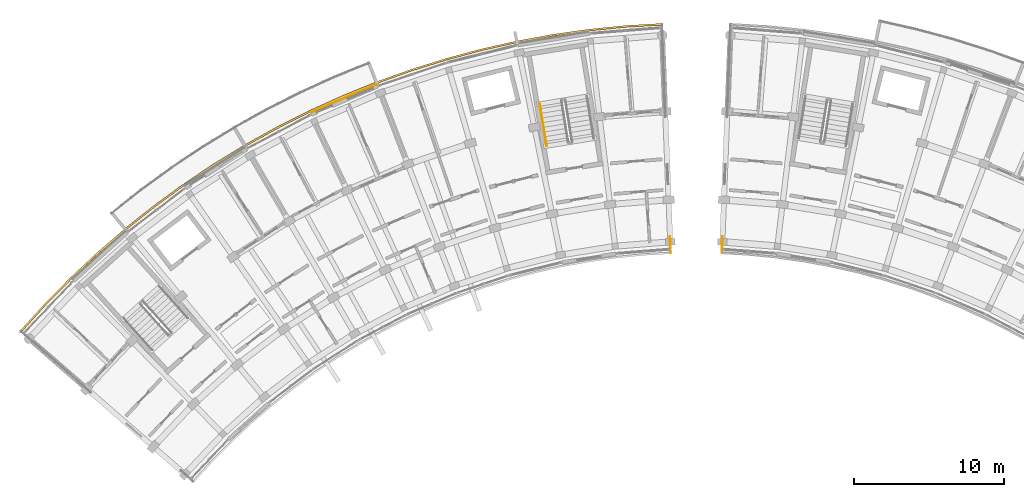
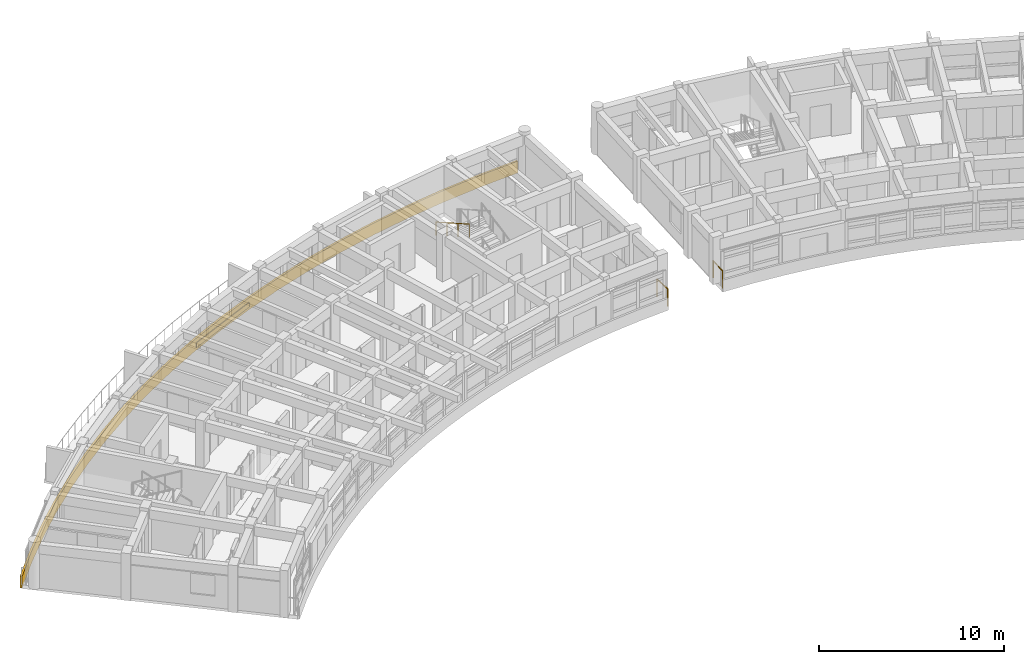
# One storey, part 42 of 50: 4 railings, 1 covering.
"""IFC4 building model written with IfcOpenShell, lengths in metres."""

from ifc_helpers import new_model, si_unit, direction, frame, origin, origin_2d, place, context, subcontext, project, spatial, polyline, rectangle, circle, outline, extrude, material, layer, layer_set, type_object, element, save


model = new_model("IFC4")

# Units and contexts
model_context = context("Model", 3, precision=1e-05, world=origin(), true_north=direction((0.0, 1.0)))
body_context = subcontext(model_context, "Body", "Model", "MODEL_VIEW")
ifc_project = project(units=[si_unit("LENGTHUNIT", "METRE"), si_unit("AREAUNIT", "SQUARE_METRE"), si_unit("VOLUMEUNIT", "CUBIC_METRE"), si_unit("PLANEANGLEUNIT", "RADIAN"), si_unit("MASSUNIT", "GRAM", prefix="KILO")], contexts=[model_context])

# Site, building, storey
site_placement = place(None, origin())
site = spatial("IfcSite", under=ifc_project, at=site_placement, CompositionType="ELEMENT")
building_placement = place(site_placement, origin())
building = spatial("IfcBuilding", under=site, at=building_placement, Name="Zimvara Arc Housing Community", CompositionType="ELEMENT")
storey_placement = place(building_placement, frame((0.0, 0.0, 26.699951171875)))
storey = spatial("IfcBuildingStorey", under=building, at=storey_placement, Name="L08", CompositionType="ELEMENT", Elevation=26.699951171875)

# Covering
ifc_material_1 = material(Name="Pale-Gold Anodised Aluminium Cladding", Category="aluminium")
ifc_layer = layer(ifc_material_1, 0.044921875)
ifc_layer_set = layer_set([ifc_layer], Name="Pale-Gold Anodised Aluminium Cladding")
covering_type = type_object("IfcCoveringType", Name="CLD-GOLD-02", PredefinedType="CLADDING", material=ifc_layer_set)
covering_placement = place(storey_placement, frame((21.513671875, 99.1396484375, 0.01025390625), z_axis=(0.0, 0.0, 1.0), x_axis=(0.918721611116, 0.394905813161, 0.0)))
element("IfcCovering", 1, at=covering_placement, inside=storey, type_object=covering_type, Name="cld:blkA:L08:out:b5", PredefinedType="CLADDING", context=body_context, shape_type="SweptSolid", body=[
    extrude(rectangle(XDim=4.748779296875, YDim=0.044921875, at=origin_2d()), origin(), (0.0, 0.0, 1.0), 0.300048828125),
])

# Railings
ifc_material_2 = material(Name="Anodised Aluminium AW-6063", Category="aluminium")
railing_type_1 = type_object("IfcRailingType", Name="RLG-BAL-1150", PredefinedType="BALUSTRADE", material=ifc_material_2)
railing_1_placement = place(storey_placement, frame((43.295654296875, 88.8671875, 0.0)))
element("IfcRailing", 2, at=railing_1_placement, inside=storey, type_object=railing_type_1, Name="rlg:blkA:L08:gable_in:gN", PredefinedType="BALUSTRADE", context=body_context, shape_type="SweptSolid", body=[
    extrude(circle(Radius=0.02392578125, at=origin_2d()), frame((0.0, 0.0, 1.1259765625), z_axis=(-0.038424441628, 0.999261508458, 0.0), x_axis=(-0.999261508458, -0.038424441628, 0.0)), (0.0, 0.0, 1.0), 1.080078125),
    extrude(circle(Radius=0.02099609375, at=origin_2d()), origin(), (0.0, 0.0, 1.0), 1.101806640625),
    extrude(circle(Radius=0.02099609375, at=origin_2d()), frame((-0.04150390625, 1.079345703125, 0.0)), (0.0, 0.0, 1.0), 1.101806640625),
])
railing_2_placement = place(storey_placement, frame((46.704345703125, 88.8671875, 0.0)))
element("IfcRailing", 3, at=railing_2_placement, inside=storey, type_object=railing_type_1, Name="rlg:blkB:L08:gable_in:g0", PredefinedType="BALUSTRADE", context=body_context, shape_type="SweptSolid", body=[
    extrude(circle(Radius=0.02392578125, at=origin_2d()), frame((0.0, 0.0, 1.1259765625), z_axis=(0.038424441628, 0.999261508458, 0.0), x_axis=(-0.999261508458, 0.038424441628, 0.0)), (0.0, 0.0, 1.0), 1.080078125),
    extrude(circle(Radius=0.02099609375, at=origin_2d()), origin(), (0.0, 0.0, 1.0), 1.101806640625),
    extrude(circle(Radius=0.02099609375, at=origin_2d()), frame((0.04150390625, 1.079345703125, 0.0)), (0.0, 0.0, 1.0), 1.101806640625),
])
ifc_material_3 = material(Name="Pale-Gold Anodised Aluminium AW-6063", Category="aluminium")
railing_type_2 = type_object("IfcRailingType", Name="RLG-FAS-780", PredefinedType="BALUSTRADE", material=ifc_material_3)
railing_3_placement = place(storey_placement, frame((0.0, 0.0, -0.219970703125)))
element("IfcRailing", 4, at=railing_3_placement, inside=storey, type_object=railing_type_2, Name="rlg:blkA:L08:gold_out", PredefinedType="BALUSTRADE", context=body_context, shape_type="SweptSolid", body=[
    extrude(outline(polyline([(0.049560546875, 83.574951171875), (1.682373046875, 85.377685546875), (3.387451171875, 87.112060546875), (5.162109375, 88.775634765625), (7.0029296875, 90.365234375), (8.9072265625, 91.87841796875), (10.871826171875, 93.3125), (12.893310546875, 94.665283203125), (14.96826171875, 95.934326171875), (17.09326171875, 97.11767578125), (19.264892578125, 98.213134765625), (21.4794921875, 99.218994140625), (23.733154296875, 100.1337890625), (26.0224609375, 100.955810546875), (28.34326171875, 101.68359375), (30.692138671875, 102.31591796875), (33.064453125, 102.851806640625), (35.45703125, 103.29052734375), (37.865234375, 103.631103515625), (40.28564453125, 103.873046875), (42.713623046875, 104.01611328125), (42.708984375, 104.135986328125), (40.276123046875, 103.99267578125), (37.850830078125, 103.750244140625), (35.437744140625, 103.408935546875), (33.04052734375, 102.969482421875), (30.6630859375, 102.432373046875), (28.309814453125, 101.798583984375), (25.984375, 101.069580078125), (23.6904296875, 100.245849609375), (21.43212890625, 99.329345703125), (19.213134765625, 98.3212890625), (17.037109375, 97.2236328125), (14.90771484375, 96.037841796875), (12.82861328125, 94.766357421875), (10.802978515625, 93.410888671875), (8.834716796875, 91.973876953125), (6.926513671875, 90.457763671875), (5.081787109375, 88.86474609375), (3.3037109375, 87.197998046875), (1.59521484375, 85.4599609375), (-0.041015625, 83.653564453125), (0.049560546875, 83.574951171875)])), origin(), (0.0, 0.0, 1.0), 0.780029296875),
])
ifc_material_4 = material(Name="Anodised Aluminium AW-6063", Category="aluminium")
railing_type_3 = type_object("IfcRailingType", Name="RLG-HND-900", PredefinedType="HANDRAIL", material=ifc_material_4)
railing_4_placement = place(storey_placement, frame((34.58056640625, 98.7666015625, 1.705078125)))
element("IfcRailing", 5, at=railing_4_placement, inside=storey, type_object=railing_type_3, Name="L08 ST-A2 stair handrail 2", PredefinedType="HANDRAIL", context=body_context, shape_type="SweptSolid", body=[
    extrude(circle(Radius=0.02392578125, at=origin_2d()), frame((0.0, 0.0, 0.8759765625), z_axis=(0.143721784145, -0.885666177347, 0.441519502474), x_axis=(0.987087819028, 0.160180016, 0.0)), (0.0, 0.0, 1.0), 3.15966796875),
    extrude(circle(Radius=0.02099609375, at=origin_2d()), origin(), (0.0, 0.0, 1.0), 0.851806640625),
    extrude(circle(Radius=0.02099609375, at=origin_2d()), frame((0.1513671875, -0.932861328125, 0.465087890625)), (0.0, 0.0, 1.0), 0.851806640625),
    extrude(circle(Radius=0.02099609375, at=origin_2d()), frame((0.302734375, -1.865478515625, 0.929931640625)), (0.0, 0.0, 1.0), 0.851806640625),
    extrude(circle(Radius=0.02099609375, at=origin_2d()), frame((0.4541015625, -2.79833984375, 1.39501953125)), (0.0, 0.0, 1.0), 0.851806640625),
])

save(model, "model.ifc")
